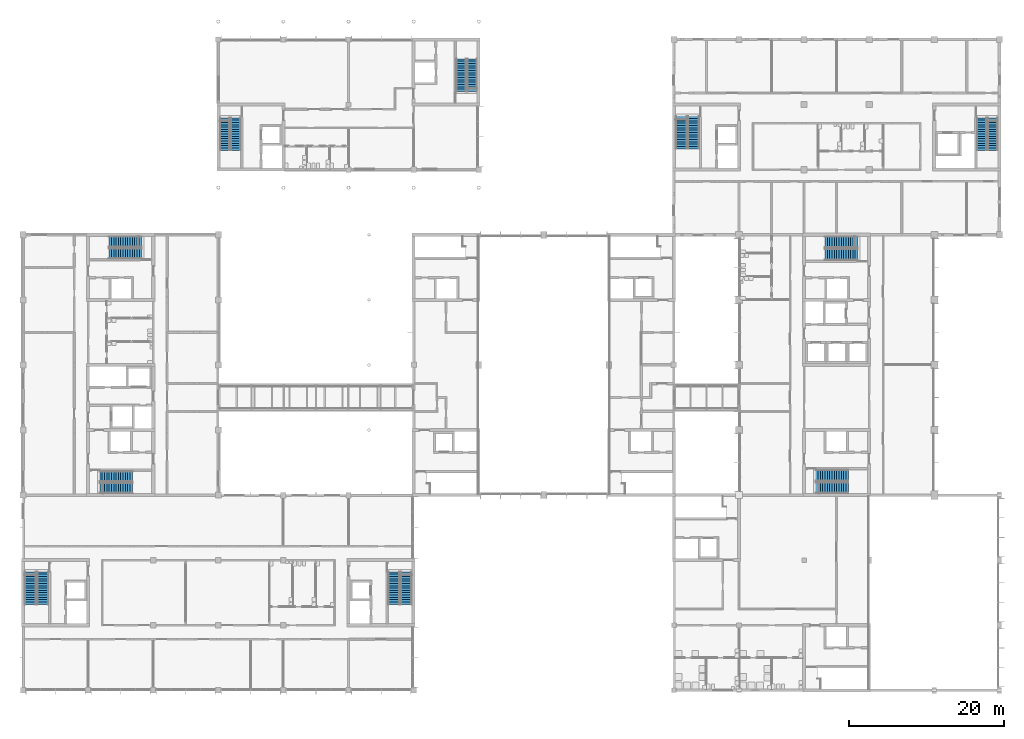
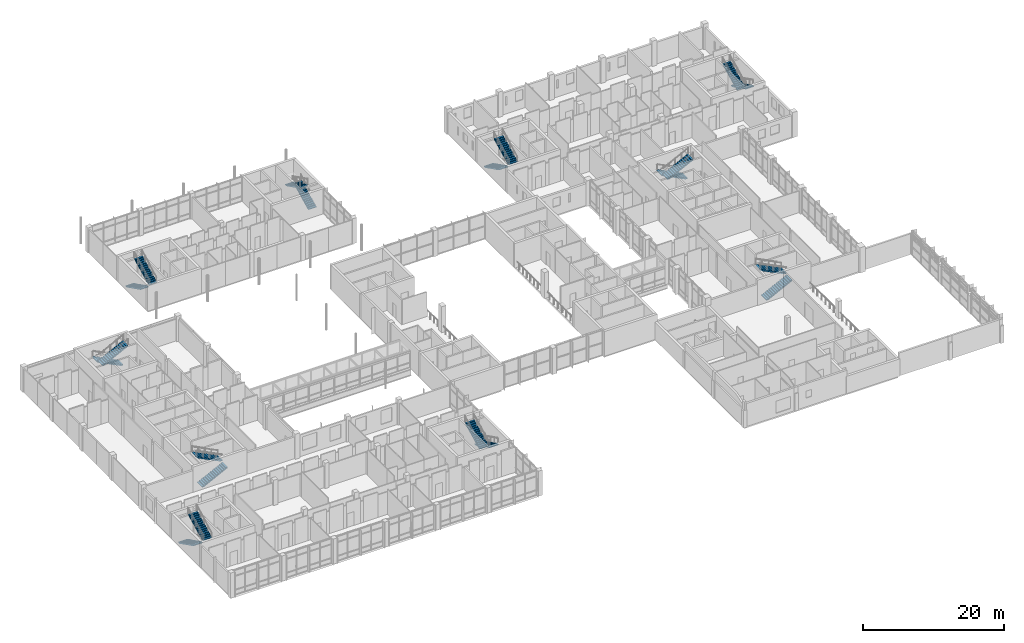
# One storey, part 50 of 70: 20 stair flights, 10 elements without a shape of their own.
"""IFC4 building model written with IfcOpenShell, lengths in metres."""

from ifc_helpers import new_model, si_unit, direction, frame, origin, place, context, subcontext, project, spatial, polyline, outline, extrude, material, type_object, element, aggregate, save


model = new_model("IFC4")

# Units and contexts
model_context = context("Model", 3, precision=1e-05, world=origin(), true_north=direction((0.0, 1.0)))
body_context = subcontext(model_context, "Body", "Model", "MODEL_VIEW")
ifc_project = project(units=[si_unit("LENGTHUNIT", "METRE"), si_unit("AREAUNIT", "SQUARE_METRE"), si_unit("VOLUMEUNIT", "CUBIC_METRE"), si_unit("PLANEANGLEUNIT", "RADIAN"), si_unit("MASSUNIT", "GRAM", prefix="KILO")], contexts=[model_context])

# Site, building, storey
site_placement = place(None, origin())
site = spatial("IfcSite", under=ifc_project, at=site_placement, CompositionType="ELEMENT")
building_placement = place(site_placement, origin())
building = spatial("IfcBuilding", under=site, at=building_placement, Name="Hlaing Beacon Police Headquarters", CompositionType="ELEMENT")
storey_placement = place(building_placement, frame((0.0, 0.0, 5.39990234375)))
storey = spatial("IfcBuildingStorey", under=building, at=storey_placement, Name="L01", CompositionType="ELEMENT", Elevation=5.39990234375)

# Stair, stair flights
ifc_material_1 = material(Name="Concrete C40/50", Category="concrete")
stair_type_1 = type_object("IfcStairType", Name="Half-turn stair 1300 wide, 4500 rise", PredefinedType="HALF_TURN_STAIR", material=ifc_material_1)
stair_1_placement = place(storey_placement, origin())
stair_1 = element("IfcStair", 1, at=stair_1_placement, inside=storey, type_object=stair_type_1, Name="Stair ST-E", PredefinedType="HALF_TURN_STAIR")
ifc_material_2 = material(Name="Concrete C40/50", Category="concrete")
stair_flight_type_1 = type_object("IfcStairFlightType", Name="Stair flight 1300 wide, 15 risers", PredefinedType="STRAIGHT", material=ifc_material_2)
stair_flight_1_placement = place(storey_placement, frame((34.449951171875, 82.300048828125, 0.0), z_axis=(0.0, 0.0, 1.0), x_axis=(0.0, -1.0, 0.0)))
stair_flight_1 = element("IfcStairFlight", 2, at=stair_flight_1_placement, type_object=stair_flight_type_1, Name="ST-E flight 1", NumberOfRisers=15, NumberOfTreads=14, PredefinedType="STRAIGHT", RiserHeight=0.15, TreadLength=0.3, context=body_context, shape_type="SweptSolid", body=[
    extrude(outline(polyline([(0.0, 0.0), (0.0, 0.14990234375), (0.300048828125, 0.14990234375), (0.300048828125, 0.300048828125), (0.60009765625, 0.300048828125), (0.60009765625, 0.449951171875), (0.89990234375, 0.449951171875), (0.89990234375, 0.60009765625), (1.199951171875, 0.60009765625), (1.199951171875, 0.75), (1.5, 0.75), (1.5, 0.89990234375), (1.800048828125, 0.89990234375), (1.800048828125, 1.050048828125), (2.10009765625, 1.050048828125), (2.10009765625, 1.199951171875), (2.39990234375, 1.199951171875), (2.39990234375, 1.35009765625), (2.699951171875, 1.35009765625), (2.699951171875, 1.5), (3.0, 1.5), (3.0, 1.64990234375), (3.300048828125, 1.64990234375), (3.300048828125, 1.800048828125), (3.60009765625, 1.800048828125), (3.60009765625, 1.949951171875), (3.89990234375, 1.949951171875), (3.89990234375, 2.10009765625), (4.199951171875, 2.10009765625), (4.199951171875, 2.25), (4.199951171875, 1.932373046875), (0.335205078125, 0.0), (0.0, 0.0)])), frame((0.0, 0.64990234375, 0.0), z_axis=(0.0, -1.0, 0.0), x_axis=(1.0, 0.0, 0.0)), (0.0, 0.0, 1.0), 1.300048828125),
])
stair_flight_2_placement = place(storey_placement, frame((35.85009765625, 78.10009765625, 2.25), z_axis=(0.0, 0.0, 1.0), x_axis=(0.0, 1.0, 0.0)))
stair_flight_2 = element("IfcStairFlight", 3, at=stair_flight_2_placement, type_object=stair_flight_type_1, Name="ST-E flight 2", NumberOfRisers=15, NumberOfTreads=14, PredefinedType="STRAIGHT", RiserHeight=0.15, TreadLength=0.3, context=body_context, shape_type="SweptSolid", body=[
    extrude(outline(polyline([(0.0, 0.0), (0.0, 0.14990234375), (0.300048828125, 0.14990234375), (0.300048828125, 0.300048828125), (0.60009765625, 0.300048828125), (0.60009765625, 0.449951171875), (0.89990234375, 0.449951171875), (0.89990234375, 0.60009765625), (1.199951171875, 0.60009765625), (1.199951171875, 0.75), (1.5, 0.75), (1.5, 0.89990234375), (1.800048828125, 0.89990234375), (1.800048828125, 1.050048828125), (2.10009765625, 1.050048828125), (2.10009765625, 1.199951171875), (2.39990234375, 1.199951171875), (2.39990234375, 1.35009765625), (2.699951171875, 1.35009765625), (2.699951171875, 1.5), (3.0, 1.5), (3.0, 1.64990234375), (3.300048828125, 1.64990234375), (3.300048828125, 1.800048828125), (3.60009765625, 1.800048828125), (3.60009765625, 1.949951171875), (3.89990234375, 1.949951171875), (3.89990234375, 2.10009765625), (4.199951171875, 2.10009765625), (4.199951171875, 2.25), (4.199951171875, 1.932373046875), (0.335205078125, 0.0), (0.0, 0.0)])), frame((0.0, 0.64990234375, 0.0), z_axis=(0.0, -1.0, 0.0), x_axis=(1.0, 0.0, 0.0)), (0.0, 0.0, 1.0), 1.300048828125),
])
aggregate(stair_1, [stair_flight_1, stair_flight_2])

stair_2_placement = place(storey_placement, origin())
stair_2 = element("IfcStair", 4, at=stair_2_placement, inside=storey, type_object=stair_type_1, Name="Stair ST-F", PredefinedType="HALF_TURN_STAIR")
stair_flight_3_placement = place(storey_placement, frame((66.35009765625, 85.699951171875, 0.0), z_axis=(0.0, 0.0, 1.0), x_axis=(0.0, 1.0, 0.0)))
stair_flight_3 = element("IfcStairFlight", 5, at=stair_flight_3_placement, type_object=stair_flight_type_1, Name="ST-F flight 1", NumberOfRisers=15, NumberOfTreads=14, PredefinedType="STRAIGHT", RiserHeight=0.15, TreadLength=0.3, context=body_context, shape_type="SweptSolid", body=[
    extrude(outline(polyline([(0.0, 0.0), (0.0, 0.14990234375), (0.300048828125, 0.14990234375), (0.300048828125, 0.300048828125), (0.60009765625, 0.300048828125), (0.60009765625, 0.449951171875), (0.89990234375, 0.449951171875), (0.89990234375, 0.60009765625), (1.199951171875, 0.60009765625), (1.199951171875, 0.75), (1.5, 0.75), (1.5, 0.89990234375), (1.800048828125, 0.89990234375), (1.800048828125, 1.050048828125), (2.10009765625, 1.050048828125), (2.10009765625, 1.199951171875), (2.39990234375, 1.199951171875), (2.39990234375, 1.35009765625), (2.699951171875, 1.35009765625), (2.699951171875, 1.5), (3.0, 1.5), (3.0, 1.64990234375), (3.300048828125, 1.64990234375), (3.300048828125, 1.800048828125), (3.60009765625, 1.800048828125), (3.60009765625, 1.949951171875), (3.89990234375, 1.949951171875), (3.89990234375, 2.10009765625), (4.199951171875, 2.10009765625), (4.199951171875, 2.25), (4.199951171875, 1.932373046875), (0.335205078125, 0.0), (0.0, 0.0)])), frame((0.0, 0.64990234375, 0.0), z_axis=(0.0, -1.0, 0.0), x_axis=(1.0, 0.0, 0.0)), (0.0, 0.0, 1.0), 1.300048828125),
])
stair_flight_4_placement = place(storey_placement, frame((64.949951171875, 89.89990234375, 2.25), z_axis=(0.0, 0.0, 1.0), x_axis=(0.0, -1.0, 0.0)))
stair_flight_4 = element("IfcStairFlight", 6, at=stair_flight_4_placement, type_object=stair_flight_type_1, Name="ST-F flight 2", NumberOfRisers=15, NumberOfTreads=14, PredefinedType="STRAIGHT", RiserHeight=0.15, TreadLength=0.3, context=body_context, shape_type="SweptSolid", body=[
    extrude(outline(polyline([(0.0, 0.0), (0.0, 0.14990234375), (0.300048828125, 0.14990234375), (0.300048828125, 0.300048828125), (0.60009765625, 0.300048828125), (0.60009765625, 0.449951171875), (0.89990234375, 0.449951171875), (0.89990234375, 0.60009765625), (1.199951171875, 0.60009765625), (1.199951171875, 0.75), (1.5, 0.75), (1.5, 0.89990234375), (1.800048828125, 0.89990234375), (1.800048828125, 1.050048828125), (2.10009765625, 1.050048828125), (2.10009765625, 1.199951171875), (2.39990234375, 1.199951171875), (2.39990234375, 1.35009765625), (2.699951171875, 1.35009765625), (2.699951171875, 1.5), (3.0, 1.5), (3.0, 1.64990234375), (3.300048828125, 1.64990234375), (3.300048828125, 1.800048828125), (3.60009765625, 1.800048828125), (3.60009765625, 1.949951171875), (3.89990234375, 1.949951171875), (3.89990234375, 2.10009765625), (4.199951171875, 2.10009765625), (4.199951171875, 2.25), (4.199951171875, 1.932373046875), (0.335205078125, 0.0), (0.0, 0.0)])), frame((0.0, 0.64990234375, 0.0), z_axis=(0.0, -1.0, 0.0), x_axis=(1.0, 0.0, 0.0)), (0.0, 0.0, 1.0), 1.300048828125),
])
aggregate(stair_2, [stair_flight_3, stair_flight_4])

stair_3_placement = place(storey_placement, origin())
stair_3 = element("IfcStair", 7, at=stair_3_placement, inside=storey, type_object=stair_type_1, Name="Stair ST-R", PredefinedType="HALF_TURN_STAIR")
stair_flight_5_placement = place(storey_placement, frame((133.550048828125, 82.300048828125, 0.0), z_axis=(0.0, 0.0, 1.0), x_axis=(0.0, -1.0, 0.0)))
stair_flight_5 = element("IfcStairFlight", 8, at=stair_flight_5_placement, type_object=stair_flight_type_1, Name="ST-R flight 1", NumberOfRisers=15, NumberOfTreads=14, PredefinedType="STRAIGHT", RiserHeight=0.15, TreadLength=0.3, context=body_context, shape_type="SweptSolid", body=[
    extrude(outline(polyline([(0.0, 0.0), (0.0, 0.14990234375), (0.300048828125, 0.14990234375), (0.300048828125, 0.300048828125), (0.60009765625, 0.300048828125), (0.60009765625, 0.449951171875), (0.89990234375, 0.449951171875), (0.89990234375, 0.60009765625), (1.199951171875, 0.60009765625), (1.199951171875, 0.75), (1.5, 0.75), (1.5, 0.89990234375), (1.800048828125, 0.89990234375), (1.800048828125, 1.050048828125), (2.10009765625, 1.050048828125), (2.10009765625, 1.199951171875), (2.39990234375, 1.199951171875), (2.39990234375, 1.35009765625), (2.699951171875, 1.35009765625), (2.699951171875, 1.5), (3.0, 1.5), (3.0, 1.64990234375), (3.300048828125, 1.64990234375), (3.300048828125, 1.800048828125), (3.60009765625, 1.800048828125), (3.60009765625, 1.949951171875), (3.89990234375, 1.949951171875), (3.89990234375, 2.10009765625), (4.199951171875, 2.10009765625), (4.199951171875, 2.25), (4.199951171875, 1.932373046875), (0.335205078125, 0.0), (0.0, 0.0)])), frame((0.0, 0.64990234375, 0.0), z_axis=(0.0, -1.0, 0.0), x_axis=(1.0, 0.0, 0.0)), (0.0, 0.0, 1.0), 1.300048828125),
])
stair_flight_6_placement = place(storey_placement, frame((132.14990234375, 78.10009765625, 2.25), z_axis=(0.0, 0.0, 1.0), x_axis=(0.0, 1.0, 0.0)))
stair_flight_6 = element("IfcStairFlight", 9, at=stair_flight_6_placement, type_object=stair_flight_type_1, Name="ST-R flight 2", NumberOfRisers=15, NumberOfTreads=14, PredefinedType="STRAIGHT", RiserHeight=0.15, TreadLength=0.3, context=body_context, shape_type="SweptSolid", body=[
    extrude(outline(polyline([(0.0, 0.0), (0.0, 0.14990234375), (0.300048828125, 0.14990234375), (0.300048828125, 0.300048828125), (0.60009765625, 0.300048828125), (0.60009765625, 0.449951171875), (0.89990234375, 0.449951171875), (0.89990234375, 0.60009765625), (1.199951171875, 0.60009765625), (1.199951171875, 0.75), (1.5, 0.75), (1.5, 0.89990234375), (1.800048828125, 0.89990234375), (1.800048828125, 1.050048828125), (2.10009765625, 1.050048828125), (2.10009765625, 1.199951171875), (2.39990234375, 1.199951171875), (2.39990234375, 1.35009765625), (2.699951171875, 1.35009765625), (2.699951171875, 1.5), (3.0, 1.5), (3.0, 1.64990234375), (3.300048828125, 1.64990234375), (3.300048828125, 1.800048828125), (3.60009765625, 1.800048828125), (3.60009765625, 1.949951171875), (3.89990234375, 1.949951171875), (3.89990234375, 2.10009765625), (4.199951171875, 2.10009765625), (4.199951171875, 2.25), (4.199951171875, 1.932373046875), (0.335205078125, 0.0), (0.0, 0.0)])), frame((0.0, 0.64990234375, 0.0), z_axis=(0.0, -1.0, 0.0), x_axis=(1.0, 0.0, 0.0)), (0.0, 0.0, 1.0), 1.300048828125),
])
aggregate(stair_3, [stair_flight_5, stair_flight_6])

ifc_material_3 = material(Name="Concrete C40/50", Category="concrete")
stair_type_2 = type_object("IfcStairType", Name="Half-turn stair 1400 wide, 4500 rise", PredefinedType="HALF_TURN_STAIR", material=ifc_material_3)
stair_4_placement = place(storey_placement, origin())
stair_4 = element("IfcStair", 10, at=stair_4_placement, inside=storey, type_object=stair_type_2, Name="Stair ST-P", PredefinedType="HALF_TURN_STAIR")
ifc_material_4 = material(Name="Concrete C40/50", Category="concrete")
stair_flight_type_2 = type_object("IfcStairFlightType", Name="Stair flight 1400 wide, 15 risers", PredefinedType="STRAIGHT", material=ifc_material_4)
stair_flight_7_placement = place(storey_placement, frame((23.699951171875, 66.300048828125, 0.0), z_axis=(0.0, 0.0, 1.0), x_axis=(-1.0, 0.0, 0.0)))
stair_flight_7 = element("IfcStairFlight", 11, at=stair_flight_7_placement, type_object=stair_flight_type_2, Name="ST-P flight 1", NumberOfRisers=15, NumberOfTreads=14, PredefinedType="STRAIGHT", RiserHeight=0.15, TreadLength=0.3, context=body_context, shape_type="SweptSolid", body=[
    extrude(outline(polyline([(0.0, 0.0), (0.0, 0.14990234375), (0.300048828125, 0.14990234375), (0.300048828125, 0.300048828125), (0.60009765625, 0.300048828125), (0.60009765625, 0.449951171875), (0.89990234375, 0.449951171875), (0.89990234375, 0.60009765625), (1.199951171875, 0.60009765625), (1.199951171875, 0.75), (1.5, 0.75), (1.5, 0.89990234375), (1.800048828125, 0.89990234375), (1.800048828125, 1.050048828125), (2.10009765625, 1.050048828125), (2.10009765625, 1.199951171875), (2.39990234375, 1.199951171875), (2.39990234375, 1.35009765625), (2.699951171875, 1.35009765625), (2.699951171875, 1.5), (3.0, 1.5), (3.0, 1.64990234375), (3.300048828125, 1.64990234375), (3.300048828125, 1.800048828125), (3.60009765625, 1.800048828125), (3.60009765625, 1.949951171875), (3.89990234375, 1.949951171875), (3.89990234375, 2.10009765625), (4.199951171875, 2.10009765625), (4.199951171875, 2.25), (4.199951171875, 1.932373046875), (0.335205078125, 0.0), (0.0, 0.0)])), frame((0.0, 0.699951171875, 0.0), z_axis=(0.0, -1.0, 0.0), x_axis=(1.0, 0.0, 0.0)), (0.0, 0.0, 1.0), 1.39990234375),
])
stair_flight_8_placement = place(storey_placement, frame((19.5, 64.800048828125, 2.25), z_axis=(0.0, 0.0, 1.0), x_axis=(1.0, 0.0, 0.0)))
stair_flight_8 = element("IfcStairFlight", 12, at=stair_flight_8_placement, type_object=stair_flight_type_2, Name="ST-P flight 2", NumberOfRisers=15, NumberOfTreads=14, PredefinedType="STRAIGHT", RiserHeight=0.15, TreadLength=0.3, context=body_context, shape_type="SweptSolid", body=[
    extrude(outline(polyline([(0.0, 0.0), (0.0, 0.14990234375), (0.300048828125, 0.14990234375), (0.300048828125, 0.300048828125), (0.60009765625, 0.300048828125), (0.60009765625, 0.449951171875), (0.89990234375, 0.449951171875), (0.89990234375, 0.60009765625), (1.199951171875, 0.60009765625), (1.199951171875, 0.75), (1.5, 0.75), (1.5, 0.89990234375), (1.800048828125, 0.89990234375), (1.800048828125, 1.050048828125), (2.10009765625, 1.050048828125), (2.10009765625, 1.199951171875), (2.39990234375, 1.199951171875), (2.39990234375, 1.35009765625), (2.699951171875, 1.35009765625), (2.699951171875, 1.5), (3.0, 1.5), (3.0, 1.64990234375), (3.300048828125, 1.64990234375), (3.300048828125, 1.800048828125), (3.60009765625, 1.800048828125), (3.60009765625, 1.949951171875), (3.89990234375, 1.949951171875), (3.89990234375, 2.10009765625), (4.199951171875, 2.10009765625), (4.199951171875, 2.25), (4.199951171875, 1.932373046875), (0.335205078125, 0.0), (0.0, 0.0)])), frame((0.0, 0.699951171875, 0.0), z_axis=(0.0, -1.0, 0.0), x_axis=(1.0, 0.0, 0.0)), (0.0, 0.0, 1.0), 1.39990234375),
])
aggregate(stair_4, [stair_flight_7, stair_flight_8])

stair_5_placement = place(storey_placement, origin())
stair_5 = element("IfcStair", 13, at=stair_5_placement, inside=storey, type_object=stair_type_2, Name="Stair ST-N", PredefinedType="HALF_TURN_STAIR")
stair_flight_9_placement = place(storey_placement, frame((18.300048828125, 34.5, 0.0), z_axis=(0.0, 0.0, 1.0), x_axis=(1.0, 0.0, 0.0)))
stair_flight_9 = element("IfcStairFlight", 14, at=stair_flight_9_placement, type_object=stair_flight_type_2, Name="ST-N flight 1", NumberOfRisers=15, NumberOfTreads=14, PredefinedType="STRAIGHT", RiserHeight=0.15, TreadLength=0.3, context=body_context, shape_type="SweptSolid", body=[
    extrude(outline(polyline([(0.0, 0.0), (0.0, 0.14990234375), (0.300048828125, 0.14990234375), (0.300048828125, 0.300048828125), (0.60009765625, 0.300048828125), (0.60009765625, 0.449951171875), (0.89990234375, 0.449951171875), (0.89990234375, 0.60009765625), (1.199951171875, 0.60009765625), (1.199951171875, 0.75), (1.5, 0.75), (1.5, 0.89990234375), (1.800048828125, 0.89990234375), (1.800048828125, 1.050048828125), (2.10009765625, 1.050048828125), (2.10009765625, 1.199951171875), (2.39990234375, 1.199951171875), (2.39990234375, 1.35009765625), (2.699951171875, 1.35009765625), (2.699951171875, 1.5), (3.0, 1.5), (3.0, 1.64990234375), (3.300048828125, 1.64990234375), (3.300048828125, 1.800048828125), (3.60009765625, 1.800048828125), (3.60009765625, 1.949951171875), (3.89990234375, 1.949951171875), (3.89990234375, 2.10009765625), (4.199951171875, 2.10009765625), (4.199951171875, 2.25), (4.199951171875, 1.932373046875), (0.335205078125, 0.0), (0.0, 0.0)])), frame((0.0, 0.699951171875, 0.0), z_axis=(0.0, -1.0, 0.0), x_axis=(1.0, 0.0, 0.0)), (0.0, 0.0, 1.0), 1.39990234375),
])
stair_flight_10_placement = place(storey_placement, frame((22.5, 36.0, 2.25), z_axis=(0.0, 0.0, 1.0), x_axis=(-1.0, 0.0, 0.0)))
stair_flight_10 = element("IfcStairFlight", 15, at=stair_flight_10_placement, type_object=stair_flight_type_2, Name="ST-N flight 2", NumberOfRisers=15, NumberOfTreads=14, PredefinedType="STRAIGHT", RiserHeight=0.15, TreadLength=0.3, context=body_context, shape_type="SweptSolid", body=[
    extrude(outline(polyline([(0.0, 0.0), (0.0, 0.14990234375), (0.300048828125, 0.14990234375), (0.300048828125, 0.300048828125), (0.60009765625, 0.300048828125), (0.60009765625, 0.449951171875), (0.89990234375, 0.449951171875), (0.89990234375, 0.60009765625), (1.199951171875, 0.60009765625), (1.199951171875, 0.75), (1.5, 0.75), (1.5, 0.89990234375), (1.800048828125, 0.89990234375), (1.800048828125, 1.050048828125), (2.10009765625, 1.050048828125), (2.10009765625, 1.199951171875), (2.39990234375, 1.199951171875), (2.39990234375, 1.35009765625), (2.699951171875, 1.35009765625), (2.699951171875, 1.5), (3.0, 1.5), (3.0, 1.64990234375), (3.300048828125, 1.64990234375), (3.300048828125, 1.800048828125), (3.60009765625, 1.800048828125), (3.60009765625, 1.949951171875), (3.89990234375, 1.949951171875), (3.89990234375, 2.10009765625), (4.199951171875, 2.10009765625), (4.199951171875, 2.25), (4.199951171875, 1.932373046875), (0.335205078125, 0.0), (0.0, 0.0)])), frame((0.0, 0.699951171875, 0.0), z_axis=(0.0, -1.0, 0.0), x_axis=(1.0, 0.0, 0.0)), (0.0, 0.0, 1.0), 1.39990234375),
])
aggregate(stair_5, [stair_flight_9, stair_flight_10])

ifc_material_5 = material(Name="Concrete C40/50", Category="concrete")
stair_type_3 = type_object("IfcStairType", Name="Half-turn stair 1500 wide, 4500 rise", PredefinedType="HALF_TURN_STAIR", material=ifc_material_5)
stair_6_placement = place(storey_placement, origin())
stair_6 = element("IfcStair", 16, at=stair_6_placement, inside=storey, type_object=stair_type_3, Name="Stair ST-J", PredefinedType="HALF_TURN_STAIR")
ifc_material_6 = material(Name="Concrete C40/50", Category="concrete")
stair_flight_type_3 = type_object("IfcStairFlightType", Name="Stair flight 1500 wide, 15 risers", PredefinedType="STRAIGHT", material=ifc_material_6)
stair_flight_11_placement = place(storey_placement, frame((9.35009765625, 23.699951171875, 0.0), z_axis=(0.0, 0.0, 1.0), x_axis=(0.0, -1.0, 0.0)))
stair_flight_11 = element("IfcStairFlight", 17, at=stair_flight_11_placement, type_object=stair_flight_type_3, Name="ST-J flight 1", NumberOfRisers=15, NumberOfTreads=14, PredefinedType="STRAIGHT", RiserHeight=0.15, TreadLength=0.3, context=body_context, shape_type="SweptSolid", body=[
    extrude(outline(polyline([(0.0, 0.0), (0.0, 0.14990234375), (0.300048828125, 0.14990234375), (0.300048828125, 0.300048828125), (0.60009765625, 0.300048828125), (0.60009765625, 0.449951171875), (0.89990234375, 0.449951171875), (0.89990234375, 0.60009765625), (1.199951171875, 0.60009765625), (1.199951171875, 0.75), (1.5, 0.75), (1.5, 0.89990234375), (1.800048828125, 0.89990234375), (1.800048828125, 1.050048828125), (2.10009765625, 1.050048828125), (2.10009765625, 1.199951171875), (2.39990234375, 1.199951171875), (2.39990234375, 1.35009765625), (2.699951171875, 1.35009765625), (2.699951171875, 1.5), (3.0, 1.5), (3.0, 1.64990234375), (3.300048828125, 1.64990234375), (3.300048828125, 1.800048828125), (3.60009765625, 1.800048828125), (3.60009765625, 1.949951171875), (3.89990234375, 1.949951171875), (3.89990234375, 2.10009765625), (4.199951171875, 2.10009765625), (4.199951171875, 2.25), (4.199951171875, 1.932373046875), (0.335205078125, 0.0), (0.0, 0.0)])), frame((0.0, 0.75, 0.0), z_axis=(0.0, -1.0, 0.0), x_axis=(1.0, 0.0, 0.0)), (0.0, 0.0, 1.0), 1.5),
])
stair_flight_12_placement = place(storey_placement, frame((10.949951171875, 19.5, 2.25), z_axis=(0.0, 0.0, 1.0), x_axis=(0.0, 1.0, 0.0)))
stair_flight_12 = element("IfcStairFlight", 18, at=stair_flight_12_placement, type_object=stair_flight_type_3, Name="ST-J flight 2", NumberOfRisers=15, NumberOfTreads=14, PredefinedType="STRAIGHT", RiserHeight=0.15, TreadLength=0.3, context=body_context, shape_type="SweptSolid", body=[
    extrude(outline(polyline([(0.0, 0.0), (0.0, 0.14990234375), (0.300048828125, 0.14990234375), (0.300048828125, 0.300048828125), (0.60009765625, 0.300048828125), (0.60009765625, 0.449951171875), (0.89990234375, 0.449951171875), (0.89990234375, 0.60009765625), (1.199951171875, 0.60009765625), (1.199951171875, 0.75), (1.5, 0.75), (1.5, 0.89990234375), (1.800048828125, 0.89990234375), (1.800048828125, 1.050048828125), (2.10009765625, 1.050048828125), (2.10009765625, 1.199951171875), (2.39990234375, 1.199951171875), (2.39990234375, 1.35009765625), (2.699951171875, 1.35009765625), (2.699951171875, 1.5), (3.0, 1.5), (3.0, 1.64990234375), (3.300048828125, 1.64990234375), (3.300048828125, 1.800048828125), (3.60009765625, 1.800048828125), (3.60009765625, 1.949951171875), (3.89990234375, 1.949951171875), (3.89990234375, 2.10009765625), (4.199951171875, 2.10009765625), (4.199951171875, 2.25), (4.199951171875, 1.932373046875), (0.335205078125, 0.0), (0.0, 0.0)])), frame((0.0, 0.75, 0.0), z_axis=(0.0, -1.0, 0.0), x_axis=(1.0, 0.0, 0.0)), (0.0, 0.0, 1.0), 1.5),
])
aggregate(stair_6, [stair_flight_11, stair_flight_12])

stair_7_placement = place(storey_placement, origin())
stair_7 = element("IfcStair", 19, at=stair_7_placement, inside=storey, type_object=stair_type_3, Name="Stair ST-K", PredefinedType="HALF_TURN_STAIR")
stair_flight_13_placement = place(storey_placement, frame((57.85009765625, 23.699951171875, 0.0), z_axis=(0.0, 0.0, 1.0), x_axis=(0.0, -1.0, 0.0)))
stair_flight_13 = element("IfcStairFlight", 20, at=stair_flight_13_placement, type_object=stair_flight_type_3, Name="ST-K flight 1", NumberOfRisers=15, NumberOfTreads=14, PredefinedType="STRAIGHT", RiserHeight=0.15, TreadLength=0.3, context=body_context, shape_type="SweptSolid", body=[
    extrude(outline(polyline([(0.0, 0.0), (0.0, 0.14990234375), (0.300048828125, 0.14990234375), (0.300048828125, 0.300048828125), (0.60009765625, 0.300048828125), (0.60009765625, 0.449951171875), (0.89990234375, 0.449951171875), (0.89990234375, 0.60009765625), (1.199951171875, 0.60009765625), (1.199951171875, 0.75), (1.5, 0.75), (1.5, 0.89990234375), (1.800048828125, 0.89990234375), (1.800048828125, 1.050048828125), (2.10009765625, 1.050048828125), (2.10009765625, 1.199951171875), (2.39990234375, 1.199951171875), (2.39990234375, 1.35009765625), (2.699951171875, 1.35009765625), (2.699951171875, 1.5), (3.0, 1.5), (3.0, 1.64990234375), (3.300048828125, 1.64990234375), (3.300048828125, 1.800048828125), (3.60009765625, 1.800048828125), (3.60009765625, 1.949951171875), (3.89990234375, 1.949951171875), (3.89990234375, 2.10009765625), (4.199951171875, 2.10009765625), (4.199951171875, 2.25), (4.199951171875, 1.932373046875), (0.335205078125, 0.0), (0.0, 0.0)])), frame((0.0, 0.75, 0.0), z_axis=(0.0, -1.0, 0.0), x_axis=(1.0, 0.0, 0.0)), (0.0, 0.0, 1.0), 1.5),
])
stair_flight_14_placement = place(storey_placement, frame((56.25, 19.5, 2.25), z_axis=(0.0, 0.0, 1.0), x_axis=(0.0, 1.0, 0.0)))
stair_flight_14 = element("IfcStairFlight", 21, at=stair_flight_14_placement, type_object=stair_flight_type_3, Name="ST-K flight 2", NumberOfRisers=15, NumberOfTreads=14, PredefinedType="STRAIGHT", RiserHeight=0.15, TreadLength=0.3, context=body_context, shape_type="SweptSolid", body=[
    extrude(outline(polyline([(0.0, 0.0), (0.0, 0.14990234375), (0.300048828125, 0.14990234375), (0.300048828125, 0.300048828125), (0.60009765625, 0.300048828125), (0.60009765625, 0.449951171875), (0.89990234375, 0.449951171875), (0.89990234375, 0.60009765625), (1.199951171875, 0.60009765625), (1.199951171875, 0.75), (1.5, 0.75), (1.5, 0.89990234375), (1.800048828125, 0.89990234375), (1.800048828125, 1.050048828125), (2.10009765625, 1.050048828125), (2.10009765625, 1.199951171875), (2.39990234375, 1.199951171875), (2.39990234375, 1.35009765625), (2.699951171875, 1.35009765625), (2.699951171875, 1.5), (3.0, 1.5), (3.0, 1.64990234375), (3.300048828125, 1.64990234375), (3.300048828125, 1.800048828125), (3.60009765625, 1.800048828125), (3.60009765625, 1.949951171875), (3.89990234375, 1.949951171875), (3.89990234375, 2.10009765625), (4.199951171875, 2.10009765625), (4.199951171875, 2.25), (4.199951171875, 1.932373046875), (0.335205078125, 0.0), (0.0, 0.0)])), frame((0.0, 0.75, 0.0), z_axis=(0.0, -1.0, 0.0), x_axis=(1.0, 0.0, 0.0)), (0.0, 0.0, 1.0), 1.5),
])
aggregate(stair_7, [stair_flight_13, stair_flight_14])

stair_8_placement = place(storey_placement, origin())
stair_8 = element("IfcStair", 22, at=stair_8_placement, inside=storey, type_object=stair_type_3, Name="Stair ST-M", PredefinedType="HALF_TURN_STAIR")
stair_flight_15_placement = place(storey_placement, frame((116.10009765625, 66.25, 0.0), z_axis=(0.0, 0.0, 1.0), x_axis=(-1.0, 0.0, 0.0)))
stair_flight_15 = element("IfcStairFlight", 23, at=stair_flight_15_placement, type_object=stair_flight_type_3, Name="ST-M flight 1", NumberOfRisers=15, NumberOfTreads=14, PredefinedType="STRAIGHT", RiserHeight=0.15, TreadLength=0.3, context=body_context, shape_type="SweptSolid", body=[
    extrude(outline(polyline([(0.0, 0.0), (0.0, 0.14990234375), (0.300048828125, 0.14990234375), (0.300048828125, 0.300048828125), (0.60009765625, 0.300048828125), (0.60009765625, 0.449951171875), (0.89990234375, 0.449951171875), (0.89990234375, 0.60009765625), (1.199951171875, 0.60009765625), (1.199951171875, 0.75), (1.5, 0.75), (1.5, 0.89990234375), (1.800048828125, 0.89990234375), (1.800048828125, 1.050048828125), (2.10009765625, 1.050048828125), (2.10009765625, 1.199951171875), (2.39990234375, 1.199951171875), (2.39990234375, 1.35009765625), (2.699951171875, 1.35009765625), (2.699951171875, 1.5), (3.0, 1.5), (3.0, 1.64990234375), (3.300048828125, 1.64990234375), (3.300048828125, 1.800048828125), (3.60009765625, 1.800048828125), (3.60009765625, 1.949951171875), (3.89990234375, 1.949951171875), (3.89990234375, 2.10009765625), (4.199951171875, 2.10009765625), (4.199951171875, 2.25), (4.199951171875, 1.932373046875), (0.335205078125, 0.0), (0.0, 0.0)])), frame((0.0, 0.75, 0.0), z_axis=(0.0, -1.0, 0.0), x_axis=(1.0, 0.0, 0.0)), (0.0, 0.0, 1.0), 1.5),
])
stair_flight_16_placement = place(storey_placement, frame((111.89990234375, 64.64990234375, 2.25), z_axis=(0.0, 0.0, 1.0), x_axis=(1.0, 0.0, 0.0)))
stair_flight_16 = element("IfcStairFlight", 24, at=stair_flight_16_placement, type_object=stair_flight_type_3, Name="ST-M flight 2", NumberOfRisers=15, NumberOfTreads=14, PredefinedType="STRAIGHT", RiserHeight=0.15, TreadLength=0.3, context=body_context, shape_type="SweptSolid", body=[
    extrude(outline(polyline([(0.0, 0.0), (0.0, 0.14990234375), (0.300048828125, 0.14990234375), (0.300048828125, 0.300048828125), (0.60009765625, 0.300048828125), (0.60009765625, 0.449951171875), (0.89990234375, 0.449951171875), (0.89990234375, 0.60009765625), (1.199951171875, 0.60009765625), (1.199951171875, 0.75), (1.5, 0.75), (1.5, 0.89990234375), (1.800048828125, 0.89990234375), (1.800048828125, 1.050048828125), (2.10009765625, 1.050048828125), (2.10009765625, 1.199951171875), (2.39990234375, 1.199951171875), (2.39990234375, 1.35009765625), (2.699951171875, 1.35009765625), (2.699951171875, 1.5), (3.0, 1.5), (3.0, 1.64990234375), (3.300048828125, 1.64990234375), (3.300048828125, 1.800048828125), (3.60009765625, 1.800048828125), (3.60009765625, 1.949951171875), (3.89990234375, 1.949951171875), (3.89990234375, 2.10009765625), (4.199951171875, 2.10009765625), (4.199951171875, 2.25), (4.199951171875, 1.932373046875), (0.335205078125, 0.0), (0.0, 0.0)])), frame((0.0, 0.75, 0.0), z_axis=(0.0, -1.0, 0.0), x_axis=(1.0, 0.0, 0.0)), (0.0, 0.0, 1.0), 1.5),
])
aggregate(stair_8, [stair_flight_15, stair_flight_16])

stair_9_placement = place(storey_placement, origin())
stair_9 = element("IfcStair", 25, at=stair_9_placement, inside=storey, type_object=stair_type_3, Name="Stair ST-L", PredefinedType="HALF_TURN_STAIR")
stair_flight_17_placement = place(storey_placement, frame((110.699951171875, 34.550048828125, 0.0), z_axis=(0.0, 0.0, 1.0), x_axis=(1.0, 0.0, 0.0)))
stair_flight_17 = element("IfcStairFlight", 26, at=stair_flight_17_placement, type_object=stair_flight_type_3, Name="ST-L flight 1", NumberOfRisers=15, NumberOfTreads=14, PredefinedType="STRAIGHT", RiserHeight=0.15, TreadLength=0.3, context=body_context, shape_type="SweptSolid", body=[
    extrude(outline(polyline([(0.0, 0.0), (0.0, 0.14990234375), (0.300048828125, 0.14990234375), (0.300048828125, 0.300048828125), (0.60009765625, 0.300048828125), (0.60009765625, 0.449951171875), (0.89990234375, 0.449951171875), (0.89990234375, 0.60009765625), (1.199951171875, 0.60009765625), (1.199951171875, 0.75), (1.5, 0.75), (1.5, 0.89990234375), (1.800048828125, 0.89990234375), (1.800048828125, 1.050048828125), (2.10009765625, 1.050048828125), (2.10009765625, 1.199951171875), (2.39990234375, 1.199951171875), (2.39990234375, 1.35009765625), (2.699951171875, 1.35009765625), (2.699951171875, 1.5), (3.0, 1.5), (3.0, 1.64990234375), (3.300048828125, 1.64990234375), (3.300048828125, 1.800048828125), (3.60009765625, 1.800048828125), (3.60009765625, 1.949951171875), (3.89990234375, 1.949951171875), (3.89990234375, 2.10009765625), (4.199951171875, 2.10009765625), (4.199951171875, 2.25), (4.199951171875, 1.932373046875), (0.335205078125, 0.0), (0.0, 0.0)])), frame((0.0, 0.75, 0.0), z_axis=(0.0, -1.0, 0.0), x_axis=(1.0, 0.0, 0.0)), (0.0, 0.0, 1.0), 1.5),
])
stair_flight_18_placement = place(storey_placement, frame((114.89990234375, 36.14990234375, 2.25), z_axis=(0.0, 0.0, 1.0), x_axis=(-1.0, 0.0, 0.0)))
stair_flight_18 = element("IfcStairFlight", 27, at=stair_flight_18_placement, type_object=stair_flight_type_3, Name="ST-L flight 2", NumberOfRisers=15, NumberOfTreads=14, PredefinedType="STRAIGHT", RiserHeight=0.15, TreadLength=0.3, context=body_context, shape_type="SweptSolid", body=[
    extrude(outline(polyline([(0.0, 0.0), (0.0, 0.14990234375), (0.300048828125, 0.14990234375), (0.300048828125, 0.300048828125), (0.60009765625, 0.300048828125), (0.60009765625, 0.449951171875), (0.89990234375, 0.449951171875), (0.89990234375, 0.60009765625), (1.199951171875, 0.60009765625), (1.199951171875, 0.75), (1.5, 0.75), (1.5, 0.89990234375), (1.800048828125, 0.89990234375), (1.800048828125, 1.050048828125), (2.10009765625, 1.050048828125), (2.10009765625, 1.199951171875), (2.39990234375, 1.199951171875), (2.39990234375, 1.35009765625), (2.699951171875, 1.35009765625), (2.699951171875, 1.5), (3.0, 1.5), (3.0, 1.64990234375), (3.300048828125, 1.64990234375), (3.300048828125, 1.800048828125), (3.60009765625, 1.800048828125), (3.60009765625, 1.949951171875), (3.89990234375, 1.949951171875), (3.89990234375, 2.10009765625), (4.199951171875, 2.10009765625), (4.199951171875, 2.25), (4.199951171875, 1.932373046875), (0.335205078125, 0.0), (0.0, 0.0)])), frame((0.0, 0.75, 0.0), z_axis=(0.0, -1.0, 0.0), x_axis=(1.0, 0.0, 0.0)), (0.0, 0.0, 1.0), 1.5),
])
aggregate(stair_9, [stair_flight_17, stair_flight_18])

stair_10_placement = place(storey_placement, origin())
stair_10 = element("IfcStair", 28, at=stair_10_placement, inside=storey, type_object=stair_type_3, Name="Stair ST-Q", PredefinedType="HALF_TURN_STAIR")
stair_flight_19_placement = place(storey_placement, frame((93.35009765625, 82.5, 0.0), z_axis=(0.0, 0.0, 1.0), x_axis=(0.0, -1.0, 0.0)))
stair_flight_19 = element("IfcStairFlight", 29, at=stair_flight_19_placement, type_object=stair_flight_type_3, Name="ST-Q flight 1", NumberOfRisers=15, NumberOfTreads=14, PredefinedType="STRAIGHT", RiserHeight=0.15, TreadLength=0.3, context=body_context, shape_type="SweptSolid", body=[
    extrude(outline(polyline([(0.0, 0.0), (0.0, 0.14990234375), (0.300048828125, 0.14990234375), (0.300048828125, 0.300048828125), (0.60009765625, 0.300048828125), (0.60009765625, 0.449951171875), (0.89990234375, 0.449951171875), (0.89990234375, 0.60009765625), (1.199951171875, 0.60009765625), (1.199951171875, 0.75), (1.5, 0.75), (1.5, 0.89990234375), (1.800048828125, 0.89990234375), (1.800048828125, 1.050048828125), (2.10009765625, 1.050048828125), (2.10009765625, 1.199951171875), (2.39990234375, 1.199951171875), (2.39990234375, 1.35009765625), (2.699951171875, 1.35009765625), (2.699951171875, 1.5), (3.0, 1.5), (3.0, 1.64990234375), (3.300048828125, 1.64990234375), (3.300048828125, 1.800048828125), (3.60009765625, 1.800048828125), (3.60009765625, 1.949951171875), (3.89990234375, 1.949951171875), (3.89990234375, 2.10009765625), (4.199951171875, 2.10009765625), (4.199951171875, 2.25), (4.199951171875, 1.932373046875), (0.335205078125, 0.0), (0.0, 0.0)])), frame((0.0, 0.75, 0.0), z_axis=(0.0, -1.0, 0.0), x_axis=(1.0, 0.0, 0.0)), (0.0, 0.0, 1.0), 1.5),
])
stair_flight_20_placement = place(storey_placement, frame((94.949951171875, 78.300048828125, 2.25), z_axis=(0.0, 0.0, 1.0), x_axis=(0.0, 1.0, 0.0)))
stair_flight_20 = element("IfcStairFlight", 30, at=stair_flight_20_placement, type_object=stair_flight_type_3, Name="ST-Q flight 2", NumberOfRisers=15, NumberOfTreads=14, PredefinedType="STRAIGHT", RiserHeight=0.15, TreadLength=0.3, context=body_context, shape_type="SweptSolid", body=[
    extrude(outline(polyline([(0.0, 0.0), (0.0, 0.14990234375), (0.300048828125, 0.14990234375), (0.300048828125, 0.300048828125), (0.60009765625, 0.300048828125), (0.60009765625, 0.449951171875), (0.89990234375, 0.449951171875), (0.89990234375, 0.60009765625), (1.199951171875, 0.60009765625), (1.199951171875, 0.75), (1.5, 0.75), (1.5, 0.89990234375), (1.800048828125, 0.89990234375), (1.800048828125, 1.050048828125), (2.10009765625, 1.050048828125), (2.10009765625, 1.199951171875), (2.39990234375, 1.199951171875), (2.39990234375, 1.35009765625), (2.699951171875, 1.35009765625), (2.699951171875, 1.5), (3.0, 1.5), (3.0, 1.64990234375), (3.300048828125, 1.64990234375), (3.300048828125, 1.800048828125), (3.60009765625, 1.800048828125), (3.60009765625, 1.949951171875), (3.89990234375, 1.949951171875), (3.89990234375, 2.10009765625), (4.199951171875, 2.10009765625), (4.199951171875, 2.25), (4.199951171875, 1.932373046875), (0.335205078125, 0.0), (0.0, 0.0)])), frame((0.0, 0.75, 0.0), z_axis=(0.0, -1.0, 0.0), x_axis=(1.0, 0.0, 0.0)), (0.0, 0.0, 1.0), 1.5),
])
aggregate(stair_10, [stair_flight_19, stair_flight_20])

save(model, "model.ifc")
